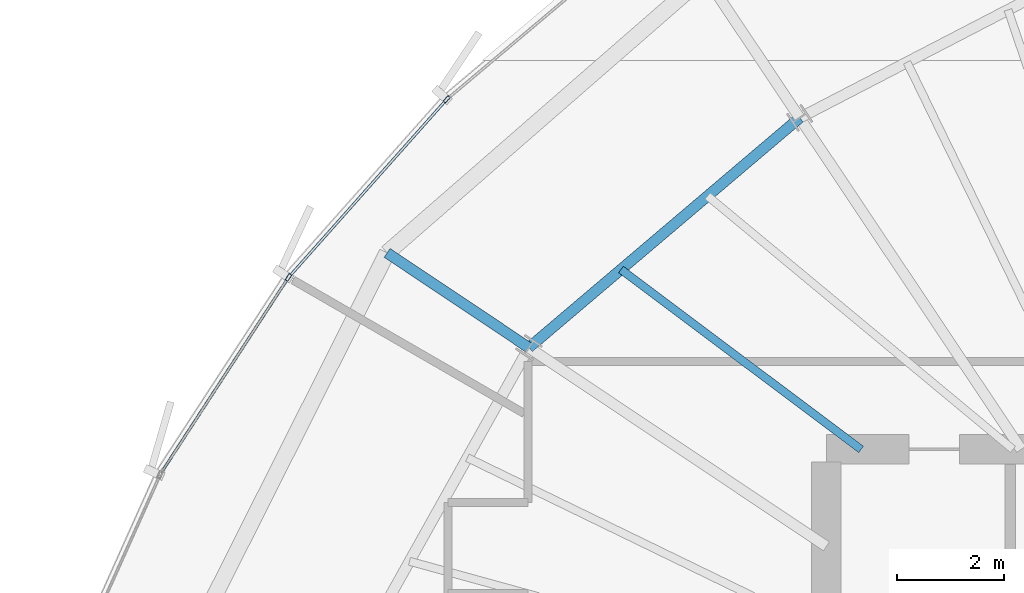
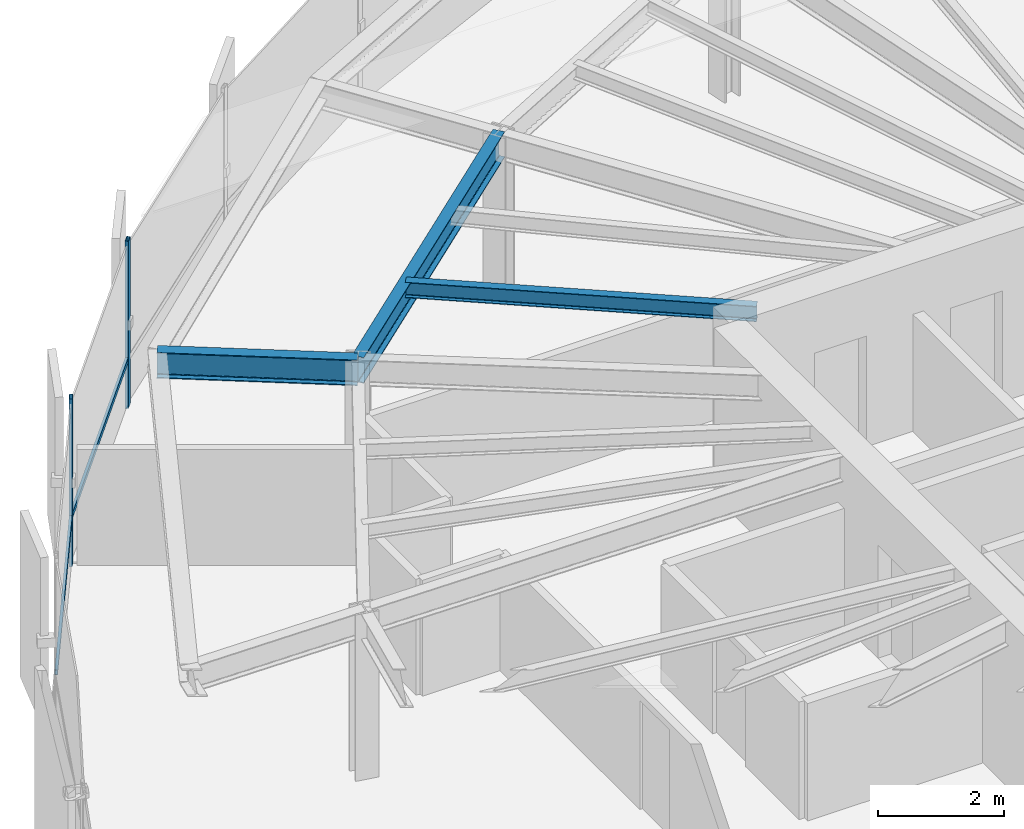
# One storey, part 20 of 35: 4 members, 3 beams, 1 element without a shape of its own.
"""IFC4 building model written with IfcOpenShell, lengths in metres."""

import ifcopenshell
import ifcopenshell.guid

model = None  # the IFC model being written
_history = None  # IfcOwnerHistory: only IFC2X3 demands one
_inside = {}  # id of a spatial element -> (the spatial element, [elements in it])
_under = {}  # id of a project, library or spatial element -> (it, [spatial elements below it])
_declared = {}  # id of a project -> (the project, [libraries it declares])
_typed = {}  # id of a type object -> (the type object, [elements of that type])
_made_of = {}  # id of a material, layer set ... -> (it, [elements and type objects made of it])


def new_model(schema):
    """Start an empty IFC model of exactly this schema.

    Asked for "IFC4X3", IfcOpenShell would pick the latest addendum, in which some entities
    have other attributes; the version numbers below select the first issue.
    IFC2X3 requires an IfcOwnerHistory on every rooted entity: one is made here for all.
    """
    global model, _history
    if schema == "IFC4X3":
        model = ifcopenshell.file(schema_version=(4, 3, 0, 0))
    else:
        model = ifcopenshell.file(schema=schema)
    _inside.clear()
    _under.clear()
    _declared.clear()
    _typed.clear()
    _made_of.clear()
    _history = None
    if model.schema == "IFC2X3":
        org = make("IfcOrganization", Name="unknown")
        user = make(
            "IfcPersonAndOrganization",
            ThePerson=make("IfcPerson", FamilyName="unknown"),
            TheOrganization=org,
        )
        app = make(
            "IfcApplication",
            ApplicationDeveloper=org,
            Version="unknown",
            ApplicationFullName="unknown",
            ApplicationIdentifier="unknown",
        )
        _history = make(
            "IfcOwnerHistory",
            OwningUser=user,
            OwningApplication=app,
            ChangeAction="ADDED",
            CreationDate=0,
        )
    return model


def make(cls, **values):
    """One entity of the class cls with the attributes given. An attribute that is None is left unset."""
    return model.create_entity(
        cls, **{name: value for name, value in values.items() if value is not None}
    )


def rooted(cls, **values):
    """An entity with a GlobalId (a new one), such as an element, a storey or a relation."""
    return make(cls, GlobalId=ifcopenshell.guid.new(), OwnerHistory=_history, **values)


def si_unit(unit_type, name, prefix=None):
    """IfcSIUnit, for example si_unit("LENGTHUNIT", "METRE", prefix="MILLI")."""
    return make("IfcSIUnit", UnitType=unit_type, Prefix=prefix, Name=name)


def assignment(units):
    """IfcUnitAssignment: the units of a project."""
    return None if units is None else make("IfcUnitAssignment", Units=units)


def point(xyz):
    """IfcCartesianPoint."""
    return None if xyz is None else make("IfcCartesianPoint", Coordinates=xyz)


def direction(xyz):
    """IfcDirection."""
    return None if xyz is None else make("IfcDirection", DirectionRatios=xyz)


def frame(location, z_axis=None, x_axis=None):
    """IfcAxis2Placement3D, a coordinate frame: its origin and axes. An axis left out is left unset."""
    return make(
        "IfcAxis2Placement3D",
        Location=point(location),
        Axis=direction(z_axis),
        RefDirection=direction(x_axis),
    )


def frame_2d(location, x_axis=None):
    """IfcAxis2Placement2D, a coordinate frame in the plane: its origin and x axis."""
    return make(
        "IfcAxis2Placement2D", Location=point(location), RefDirection=direction(x_axis)
    )


def origin():
    """The frame at (0, 0, 0) with its axes left unset."""
    return frame((0.0, 0.0, 0.0))


def origin_2d():
    """The frame at (0, 0) in the plane with its x axis left unset."""
    return frame_2d((0.0, 0.0))


def place(relative_to, where):
    """IfcLocalPlacement: puts the frame where relative to a parent placement (None: the world)."""
    return make(
        "IfcLocalPlacement", PlacementRelTo=relative_to, RelativePlacement=where
    )


def context(
    kind, dimensions, precision=None, world=None, true_north=None, identifier=None
):
    """IfcGeometricRepresentationContext, for example the 3D "Model" context."""
    return make(
        "IfcGeometricRepresentationContext",
        ContextIdentifier=identifier,
        ContextType=kind,
        CoordinateSpaceDimension=dimensions,
        Precision=precision,
        WorldCoordinateSystem=world,
        TrueNorth=true_north,
    )


def subcontext(parent, identifier, kind, view, scale=None):
    """IfcGeometricRepresentationSubContext, for example "Body" below "Model"."""
    return make(
        "IfcGeometricRepresentationSubContext",
        ContextIdentifier=identifier,
        ContextType=kind,
        ParentContext=parent,
        TargetScale=scale,
        TargetView=view,
    )


def project(units=None, contexts=None):
    """IfcProject with its units and contexts."""
    return rooted(
        "IfcProject",
        Name="project",
        RepresentationContexts=contexts,
        UnitsInContext=assignment(units),
    )


def spatial(cls, under=None, at=None, **own):
    """A site, building, storey or space (cls), placed at a placement, below another one or the project."""
    s = rooted(cls, ObjectPlacement=at, **own)
    if under is not None:
        _under.setdefault(under.id(), (under, []))[1].append(s)
    return s


def profile(cls, at=None, kind="AREA", **sizes):
    """A parametric profile (cls). Its sizes go by their IFC names, for example OverallWidth=200.0."""
    return make(cls, ProfileType=kind, Position=at, **sizes)


def hollow_rectangle(**sizes):
    """IfcRectangleHollowProfileDef."""
    return profile("IfcRectangleHollowProfileDef", **sizes)


def i_section(**sizes):
    """IfcIShapeProfileDef."""
    return profile("IfcIShapeProfileDef", **sizes)


def extrude(swept, where, along, depth):
    """IfcExtrudedAreaSolid: the profile swept, set in the frame where, extruded along a direction by depth."""
    return make(
        "IfcExtrudedAreaSolid",
        SweptArea=swept,
        Position=where,
        ExtrudedDirection=direction(along),
        Depth=depth,
    )


def shape(context_of_items, identifier, shape_type, items):
    """IfcShapeRepresentation: the items that make up one representation, for example the "Body"."""
    return make(
        "IfcShapeRepresentation",
        ContextOfItems=context_of_items,
        RepresentationIdentifier=identifier,
        RepresentationType=shape_type,
        Items=items,
    )


def source(mapping_origin, context_of_items, identifier, shape_type, items):
    """IfcRepresentationMap: a shape defined once, which mapped items show again and again."""
    return make(
        "IfcRepresentationMap",
        MappingOrigin=mapping_origin,
        MappedRepresentation=shape(context_of_items, identifier, shape_type, items),
    )


def transform(
    local_origin,
    x_axis=None,
    y_axis=None,
    z_axis=None,
    scale=None,
    scale2=None,
    scale3=None,
    uniform=True,
):
    """IfcCartesianTransformationOperator3D, or its non-uniform kind. x_axis, y_axis, z_axis: its Axis1, 2, 3."""
    if uniform:
        return make(
            "IfcCartesianTransformationOperator3D",
            Axis1=direction(x_axis),
            Axis2=direction(y_axis),
            LocalOrigin=point(local_origin),
            Scale=scale,
            Axis3=direction(z_axis),
        )
    return make(
        "IfcCartesianTransformationOperator3DnonUniform",
        Axis1=direction(x_axis),
        Axis2=direction(y_axis),
        LocalOrigin=point(local_origin),
        Scale=scale,
        Axis3=direction(z_axis),
        Scale2=scale2,
        Scale3=scale3,
    )


def mapped(mapping_source, mapping_target):
    """IfcMappedItem: shows the shape of a source again, moved by a transform."""
    return make(
        "IfcMappedItem", MappingSource=mapping_source, MappingTarget=mapping_target
    )


def material(Name=None, Category=None):
    """IfcMaterial."""
    return make("IfcMaterial", Name=Name, Category=Category)


def layer(
    of_material, thickness, ventilated=None, Name=None, Category=None, Priority=None
):
    """IfcMaterialLayer: one layer of a wall or slab, of a material (None: an air gap)."""
    return make(
        "IfcMaterialLayer",
        Material=of_material,
        LayerThickness=thickness,
        IsVentilated=ventilated,
        Name=Name,
        Category=Category,
        Priority=Priority,
    )


def layer_set(layers, Name=None):
    """IfcMaterialLayerSet."""
    return make("IfcMaterialLayerSet", MaterialLayers=layers, LayerSetName=Name)


def material_profile(
    of_material, cross_section, Name=None, Category=None, Priority=None
):
    """IfcMaterialProfile: a cross section and its material."""
    return make(
        "IfcMaterialProfile",
        Name=Name,
        Material=of_material,
        Profile=cross_section,
        Priority=Priority,
        Category=Category,
    )


def profile_set(profiles, Name=None, composite=None):
    """IfcMaterialProfileSet."""
    return make(
        "IfcMaterialProfileSet",
        Name=Name,
        MaterialProfiles=profiles,
        CompositeProfile=composite,
    )


def made_of(thing, what):
    """Note that an element or type object is made of a material, layer set ...; save() writes the relation."""
    if what is not None:
        _made_of.setdefault(what.id(), (what, []))[1].append(thing)
    return thing


def type_object(cls, material=None, **own):
    """A type object (cls), such as IfcWallType, which elements share."""
    return made_of(rooted(cls, **own), material)


def element(
    cls,
    number,
    at=None,
    inside=None,
    cuts=None,
    type_object=None,
    material=None,
    context=None,
    identifier="Body",
    shape_type=None,
    held_by="IfcProductDefinitionShape",
    body=None,
    shapes=None,
    **own,
):
    """One element of the class cls, such as IfcWall. Its Tag is "e" and its number.

    at: its placement. inside: the storey or other place that contains it. cuts: it is an
    opening in that element (IfcRelVoidsElement). A single representation is given by context,
    identifier, shape_type and body (its items); several are given by shapes. held_by: the class
    of the entity that holds the representations. save() writes the other relations.
    """
    e = rooted(cls, Tag="e%d" % number, ObjectPlacement=at, **own)
    if body is not None:
        shapes = [shape(context, identifier, shape_type, body)]
    if shapes is not None:
        e.Representation = make(held_by, Representations=shapes)
    if inside is not None:
        _inside.setdefault(inside.id(), (inside, []))[1].append(e)
    if cuts is not None:
        rooted(
            "IfcRelVoidsElement", RelatingBuildingElement=cuts, RelatedOpeningElement=e
        )
    if type_object is not None:
        _typed.setdefault(type_object.id(), (type_object, []))[1].append(e)
    return made_of(e, material)


def aggregate(whole, parts):
    """IfcRelAggregates: a whole, such as a stair, and the parts it consists of."""
    return rooted("IfcRelAggregates", RelatingObject=whole, RelatedObjects=parts)


def save(model, path):
    """Write the relations noted so far, then the file.

    IfcRelAggregates (storeys below a building ...), IfcRelContainedInSpatialStructure (elements
    in a storey), IfcRelDefinesByType, IfcRelAssociatesMaterial and IfcRelDeclares: one each for
    every whole, place, type object, material and project.
    """
    for whole, parts in _under.values():
        aggregate(whole, parts)
    for where, things in _inside.values():
        rooted(
            "IfcRelContainedInSpatialStructure",
            RelatedElements=things,
            RelatingStructure=where,
        )
    for kind, things in _typed.values():
        rooted("IfcRelDefinesByType", RelatedObjects=things, RelatingType=kind)
    for what, things in _made_of.values():
        rooted("IfcRelAssociatesMaterial", RelatedObjects=things, RelatingMaterial=what)
    for by, libraries in _declared.values():
        rooted("IfcRelDeclares", RelatingContext=by, RelatedDefinitions=libraries)
    model.write(path)


model = new_model("IFC4")

# Units and contexts
model_context = context("Model", 3, precision=1e-05, world=origin(), true_north=direction((0.0, 1.0)))
body_context = subcontext(model_context, "Body", "Model", "MODEL_VIEW")
ifc_project = project(units=[si_unit("LENGTHUNIT", "METRE"), si_unit("AREAUNIT", "SQUARE_METRE"), si_unit("VOLUMEUNIT", "CUBIC_METRE"), si_unit("PLANEANGLEUNIT", "RADIAN"), si_unit("MASSUNIT", "GRAM", prefix="KILO"), si_unit("THERMODYNAMICTEMPERATUREUNIT", "KELVIN")], contexts=[model_context])

# Site, building, storey
site_placement = place(None, origin())
site = spatial("IfcSite", under=ifc_project, at=site_placement, CompositionType="ELEMENT")
building_placement = place(site_placement, origin())
building = spatial("IfcBuilding", under=site, at=building_placement, Name="Kethvar Cultural Tower", CompositionType="ELEMENT")
storey_placement = place(building_placement, frame((0.0, 0.0, 179.89990234375)))
storey = spatial("IfcBuildingStorey", under=building, at=storey_placement, Name="L46", CompositionType="ELEMENT", Elevation=179.89990234375)

# Beams
ifc_material_1 = material(Name="Steel S355J2", Category="steel")
ifc_material_profile_1 = material_profile(ifc_material_1, i_section(OverallWidth=0.199951171875, OverallDepth=0.5, WebThickness=0.01025390625, FlangeThickness=0.01611328125, FilletRadius=0.02099609375, at=origin_2d()), Name="Steel S355J2 — IPE500")
ifc_profile_set_1 = profile_set([ifc_material_profile_1], Name="Steel S355J2 — IPE500")
beam_type_1 = type_object("IfcBeamType", Name="BM-IPE500", PredefinedType="BEAM", material=ifc_profile_set_1)
shared_shape_1 = source(origin(), body_context, "Body", "SweptSolid", [
    extrude(i_section(OverallWidth=0.199951171875, OverallDepth=0.5, WebThickness=0.01025390625, FlangeThickness=0.01611328125, FilletRadius=0.02099609375, at=origin_2d()), origin(), (0.0, 0.0, 1.0), 3.199951171875),
])
beam_1_placement = place(storey_placement, frame((32.418212890625, 37.409423828125, 3.008056640625), z_axis=(-0.831462943996, 0.555580212716, 0.0), x_axis=(-0.555580212716, -0.831462943996, 0.0)))
element("IfcBeam", 1, at=beam_1_placement, inside=storey, type_object=beam_type_1, Name="L46 Perimeter Cantilever Beam RC-07", PredefinedType="BEAM", context=body_context, shape_type="MappedRepresentation", body=[
    mapped(shared_shape_1, transform((0.0, 0.0, 0.0), scale=1.0)),
])
shared_shape_2 = source(origin(), body_context, "Body", "SweptSolid", [
    extrude(i_section(OverallWidth=0.199951171875, OverallDepth=0.5, WebThickness=0.01025390625, FlangeThickness=0.01611328125, FilletRadius=0.02099609375, at=origin_2d()), origin(), (0.0, 0.0, 1.0), 6.6630859375),
])
beam_2_placement = place(storey_placement, frame((37.498779296875, 41.720458984375, 3.008056640625), z_axis=(-0.762490511547, -0.646999397064, 0.0), x_axis=(0.646999397064, -0.762490511547, 0.0)))
element("IfcBeam", 2, at=beam_2_placement, inside=storey, type_object=beam_type_1, Name="L46 Column Ring Tie Beam CR-06", PredefinedType="BEAM", context=body_context, shape_type="MappedRepresentation", body=[
    mapped(shared_shape_2, transform((0.0, 0.0, 0.0), scale=1.0)),
])
ifc_material_profile_2 = material_profile(ifc_material_1, i_section(OverallWidth=0.14990234375, OverallDepth=0.300048828125, WebThickness=0.007080078125, FlangeThickness=0.0107421875, FilletRadius=0.014892578125, at=origin_2d()), Name="Steel S355J2 — IPE300")
ifc_profile_set_2 = profile_set([ifc_material_profile_2], Name="Steel S355J2 — IPE300")
beam_type_2 = type_object("IfcBeamType", Name="BM-J300", PredefinedType="JOIST", material=ifc_profile_set_2)
shared_shape_3 = source(origin(), body_context, "Body", "SweptSolid", [
    extrude(i_section(OverallWidth=0.14990234375, OverallDepth=0.300048828125, WebThickness=0.007080078125, FlangeThickness=0.0107421875, FilletRadius=0.014892578125, at=origin_2d()), origin(), (0.0, 0.0, 1.0), 5.628662109375),
])
beam_3_placement = place(storey_placement, frame((38.64990234375, 35.5, 3.108154296875), z_axis=(-0.800260171956, 0.599652947279, 0.0), x_axis=(-0.599652947279, -0.800260171956, 0.0)))
element("IfcBeam", 3, at=beam_3_placement, inside=storey, type_object=beam_type_2, Name="L46 Composite Floor Joist J-06B", PredefinedType="JOIST", context=body_context, shape_type="MappedRepresentation", body=[
    mapped(shared_shape_3, transform((0.0, 0.0, 0.0), scale=1.0)),
])

# Curtain wall, members
ifc_material_2 = material(Name="Aluminium 6063-T6", Category="aluminium")
ifc_layer = layer(ifc_material_2, 0.179931640625, Name="Aluminium 6063-T6", Category="aluminium")
ifc_layer_set = layer_set([ifc_layer], Name="Aluminium 6063-T6 (180 mm)")
curtain_wall_type = type_object("IfcCurtainWallType", Name="CW-SYS-04-Z34", PredefinedType="NOTDEFINED", material=ifc_layer_set)
curtain_wall_placement = place(storey_placement, origin())
curtain_wall = element("IfcCurtainWall", 4, at=curtain_wall_placement, inside=storey, type_object=curtain_wall_type, Name="L46 Curtain Wall Run 02", PredefinedType="NOTDEFINED")
ifc_material_profile_3 = material_profile(ifc_material_2, hollow_rectangle(XDim=0.06005859375, YDim=0.139892578125, WallThickness=0.0048828125, at=origin_2d()), Name="Aluminium 6063-T6 — RHS140x60x5")
ifc_profile_set_3 = profile_set([ifc_material_profile_3], Name="Aluminium 6063-T6 — RHS140x60x5")
member_type_1 = type_object("IfcMemberType", Name="CW-SYS-04-Z34-MUL", PredefinedType="MULLION", material=ifc_profile_set_3)
shared_shape_4 = source(origin(), body_context, "Body", "SweptSolid", [
    extrude(hollow_rectangle(XDim=0.06005859375, YDim=0.139892578125, WallThickness=0.0048828125, at=origin_2d()), origin(), (0.0, 0.0, 1.0), 3.260009765625),
])
member_1_placement = place(storey_placement, frame((30.876953125, 42.068115234375, 0.0), z_axis=(0.0, 0.0, 1.0), x_axis=(0.747659021718, -0.664082816555, 0.0)))
member_1 = element("IfcMember", 5, at=member_1_placement, type_object=member_type_1, Name="CW-L46-R02 Mullion 5", PredefinedType="MULLION", context=body_context, shape_type="MappedRepresentation", body=[
    mapped(shared_shape_4, transform((0.0, 0.0, 0.0), scale=1.0)),
])
member_2_placement = place(storey_placement, frame((27.90771484375, 38.726806640625, 0.0), z_axis=(0.0, 0.0, 1.0), x_axis=(0.837909291125, -0.545809508754, 0.0)))
member_2 = element("IfcMember", 6, at=member_2_placement, type_object=member_type_1, Name="CW-L46-R02 Mullion 6", PredefinedType="MULLION", context=body_context, shape_type="MappedRepresentation", body=[
    mapped(shared_shape_4, transform((0.0, 0.0, 0.0), scale=1.0)),
])
ifc_material_profile_4 = material_profile(ifc_material_2, hollow_rectangle(XDim=0.050048828125, YDim=0.10009765625, WallThickness=0.00390625, at=origin_2d()), Name="Aluminium 6063-T6 — RHS100x50x4")
ifc_profile_set_4 = profile_set([ifc_material_profile_4], Name="Aluminium 6063-T6 — RHS100x50x4")
member_type_2 = type_object("IfcMemberType", Name="CW-SYS-04-Z34-TRN", PredefinedType="USERDEFINED", material=ifc_profile_set_4)
shared_shape_5 = source(origin(), body_context, "Body", "SweptSolid", [
    extrude(hollow_rectangle(XDim=0.050048828125, YDim=0.10009765625, WallThickness=0.00390625, at=origin_2d()), origin(), (0.0, 0.0, 1.0), 4.39990234375),
])
member_3_placement = place(storey_placement, frame((30.848388671875, 42.03564453125, 0.9501953125), z_axis=(-0.664088263796, -0.747654183355, 0.0), x_axis=(0.747654183355, -0.664088263796, 0.0)))
member_3 = element("IfcMember", 7, at=member_3_placement, type_object=member_type_2, Name="CW-L46-R02 Transom 5", ObjectType="TRANSOM", PredefinedType="USERDEFINED", context=body_context, shape_type="MappedRepresentation", body=[
    mapped(shared_shape_5, transform((0.0, 0.0, 0.0), scale=1.0)),
])
shared_shape_6 = source(origin(), body_context, "Body", "SweptSolid", [
    extrude(hollow_rectangle(XDim=0.050048828125, YDim=0.10009765625, WallThickness=0.00390625, at=origin_2d()), origin(), (0.0, 0.0, 1.0), 4.31494140625),
])
member_4_placement = place(storey_placement, frame((27.88427734375, 38.690673828125, 0.9501953125), z_axis=(-0.545829321634, -0.83789638479, 0.0), x_axis=(0.83789638479, -0.545829321634, 0.0)))
member_4 = element("IfcMember", 8, at=member_4_placement, type_object=member_type_2, Name="CW-L46-R02 Transom 6", ObjectType="TRANSOM", PredefinedType="USERDEFINED", context=body_context, shape_type="MappedRepresentation", body=[
    mapped(shared_shape_6, transform((0.0, 0.0, 0.0), scale=1.0)),
])
aggregate(curtain_wall, [member_1, member_2, member_3, member_4])

save(model, "model.ifc")
